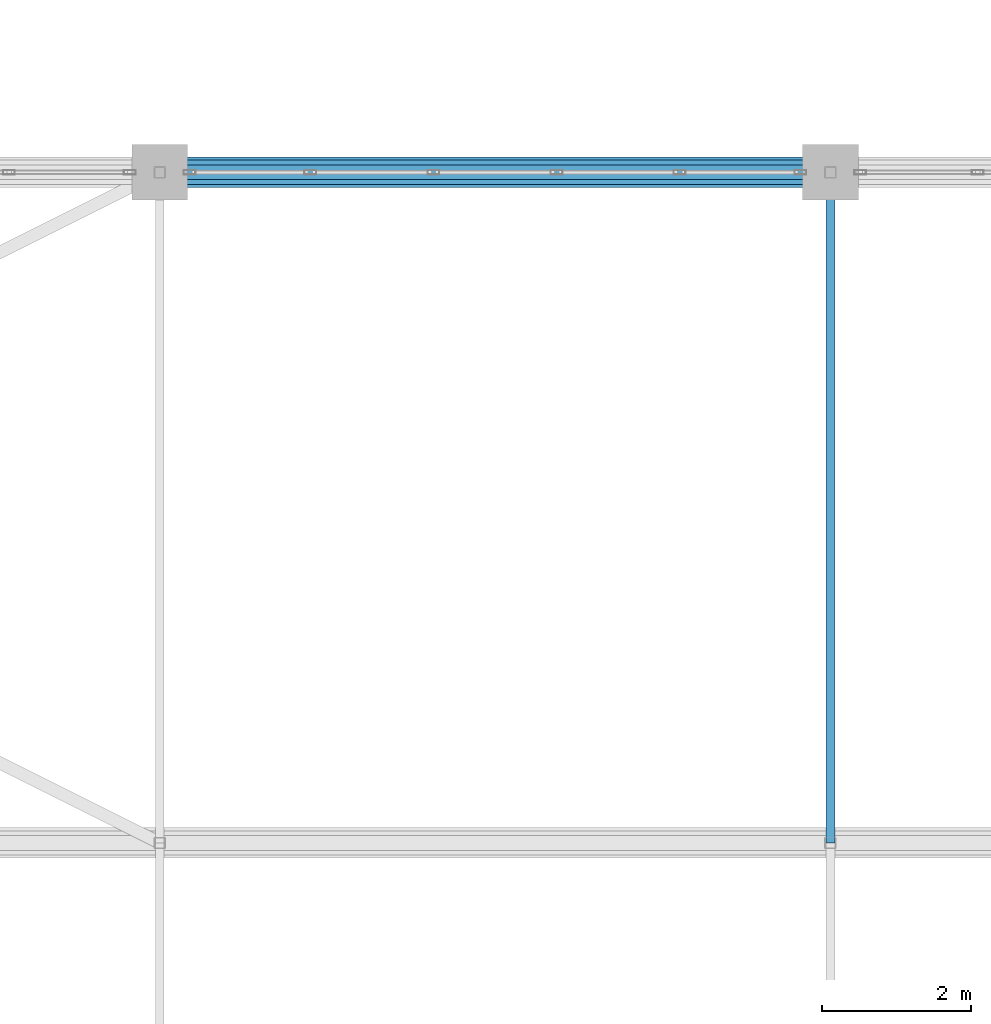
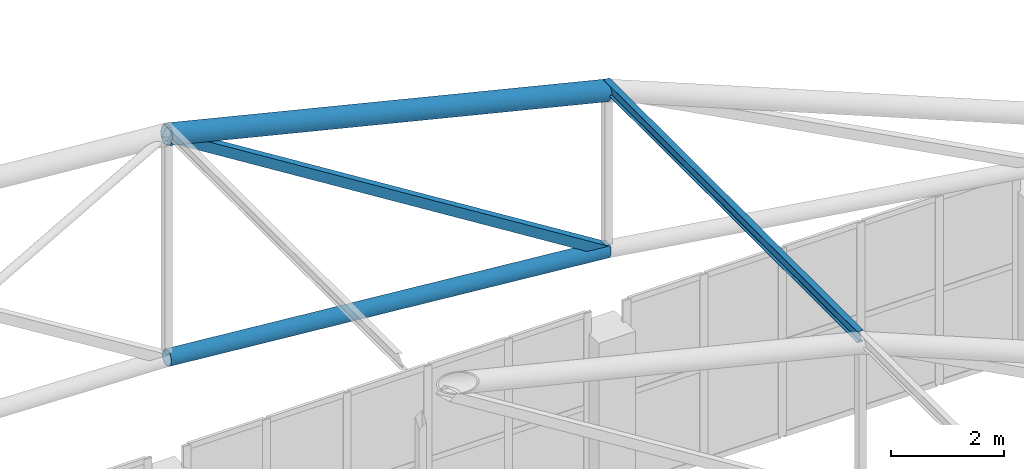
# One storey, part 113 of 167: 4 members.
"""IFC4 building model written with IfcOpenShell, lengths in metres."""

from ifc_helpers import new_model, si_unit, direction, frame, origin, origin_2d, place, context, subcontext, project, spatial, hollow_rectangle, hollow_circle, i_section, extrude, material, material_profile, profile_set, type_object, element, save


model = new_model("IFC4")

# Units and contexts
model_context = context("Model", 3, precision=1e-05, world=origin(), true_north=direction((0.0, 1.0)))
body_context = subcontext(model_context, "Body", "Model", "MODEL_VIEW")
ifc_project = project(units=[si_unit("LENGTHUNIT", "METRE"), si_unit("AREAUNIT", "SQUARE_METRE"), si_unit("VOLUMEUNIT", "CUBIC_METRE"), si_unit("PLANEANGLEUNIT", "RADIAN"), si_unit("MASSUNIT", "GRAM", prefix="KILO")], contexts=[model_context])

# Site, building, storey
site_placement = place(None, origin())
site = spatial("IfcSite", under=ifc_project, at=site_placement, CompositionType="ELEMENT")
building_placement = place(site_placement, origin())
building = spatial("IfcBuilding", under=site, at=building_placement, Name="Dornveld Trade and Exhibition Forum", CompositionType="ELEMENT")
storey_placement = place(building_placement, frame((0.0, 0.0, 16.800048828125)))
storey = spatial("IfcBuildingStorey", under=building, at=storey_placement, Name="L03", CompositionType="ELEMENT", Elevation=16.800048828125)

# Members
ifc_material_1 = material(Name="Steel S355J2", Category="steel")
ifc_material_profile_1 = material_profile(ifc_material_1, hollow_circle(Radius=0.161865234375, WallThickness=0.01611328125, at=origin_2d()), Name="CHS 323.9x16")
ifc_profile_set_1 = profile_set([ifc_material_profile_1], Name="Steel S355J2")
member_type_1 = type_object("IfcMemberType", Name="MEM-ARCH-BC", PredefinedType="CHORD", material=ifc_profile_set_1)
member_1_placement = place(storey_placement, frame((63.0, 135.0, 6.083251953125), z_axis=(0.996072164085, 0.0, -0.088545151956), x_axis=(0.0, 1.0, 0.0)))
element("IfcMember", 1, at=member_1_placement, inside=storey, type_object=member_type_1, Name="H3 truss 12 tie chord 5", PredefinedType="CHORD", context=body_context, shape_type="SweptSolid", body=[
    extrude(hollow_circle(Radius=0.161865234375, WallThickness=0.01611328125, at=origin_2d()), origin(), (0.0, 0.0, 1.0), 9.035400390625),
])
ifc_material_2 = material(Name="Steel S355J2", Category="steel")
ifc_material_profile_2 = material_profile(ifc_material_2, hollow_circle(Radius=0.203125, WallThickness=0.02001953125, at=origin_2d()), Name="CHS 406.4x20")
ifc_profile_set_2 = profile_set([ifc_material_profile_2], Name="Steel S355J2")
member_type_2 = type_object("IfcMemberType", Name="MEM-ARCH-TC", PredefinedType="CHORD", material=ifc_profile_set_2)
member_2_placement = place(storey_placement, frame((63.0, 135.0, 10.916748046875), z_axis=(0.971394143806, 0.0, -0.237472982421), x_axis=(0.0, 1.0, 0.0)))
element("IfcMember", 2, at=member_2_placement, inside=storey, type_object=member_type_2, Name="H3 truss 12 top chord 5", PredefinedType="CHORD", context=body_context, shape_type="SweptSolid", body=[
    extrude(hollow_circle(Radius=0.203125, WallThickness=0.02001953125, at=origin_2d()), origin(), (0.0, 0.0, 1.0), 9.26513671875),
])
ifc_material_3 = material(Name="Steel S355J2", Category="steel")
ifc_material_profile_3 = material_profile(ifc_material_3, hollow_rectangle(XDim=0.199951171875, YDim=0.199951171875, WallThickness=0.010009765625, at=origin_2d()), Name="SHS 200x200x10")
ifc_profile_set_3 = profile_set([ifc_material_profile_3], Name="Steel S355J2")
member_type_3 = type_object("IfcMemberType", Name="MEM-ARCH-WEB", PredefinedType="BRACE", material=ifc_profile_set_3)
member_3_placement = place(storey_placement, frame((72.0, 135.0, 5.283203125), z_axis=(-0.84763640931, 0.0, 0.53057753214), x_axis=(0.0, -1.0, 0.0)))
element("IfcMember", 3, at=member_3_placement, inside=storey, type_object=member_type_3, Name="H3 truss 12 web 5", PredefinedType="BRACE", context=body_context, shape_type="SweptSolid", body=[
    extrude(hollow_rectangle(XDim=0.199951171875, YDim=0.199951171875, WallThickness=0.010009765625, at=origin_2d()), origin(), (0.0, 0.0, 1.0), 10.61767578125),
])
ifc_material_4 = material(Name="Steel S355J2", Category="steel")
ifc_material_profile_4 = material_profile(ifc_material_4, i_section(OverallWidth=0.1201171875, OverallDepth=0.239990234375, WebThickness=0.006103515625, FlangeThickness=0.009765625, FilletRadius=0.014892578125, at=origin_2d()), Name="IPE 240")
ifc_profile_set_4 = profile_set([ifc_material_profile_4], Name="Steel S355J2")
member_type_4 = type_object("IfcMemberType", Name="MEM-PURLIN-240", PredefinedType="PURLIN", material=ifc_profile_set_4)
member_4_placement = place(storey_placement, frame((72.0, 126.0, 8.8486328125), z_axis=(0.0, 1.0, 0.0), x_axis=(-1.0, 0.0, 0.0)))
element("IfcMember", 4, at=member_4_placement, inside=storey, type_object=member_type_4, Name="H3 bay 11 roof purlin 6", PredefinedType="PURLIN", context=body_context, shape_type="SweptSolid", body=[
    extrude(i_section(OverallWidth=0.1201171875, OverallDepth=0.239990234375, WebThickness=0.006103515625, FlangeThickness=0.009765625, FilletRadius=0.014892578125, at=origin_2d()), origin(), (0.0, 0.0, 1.0), 9.0),
])

save(model, "model.ifc")
